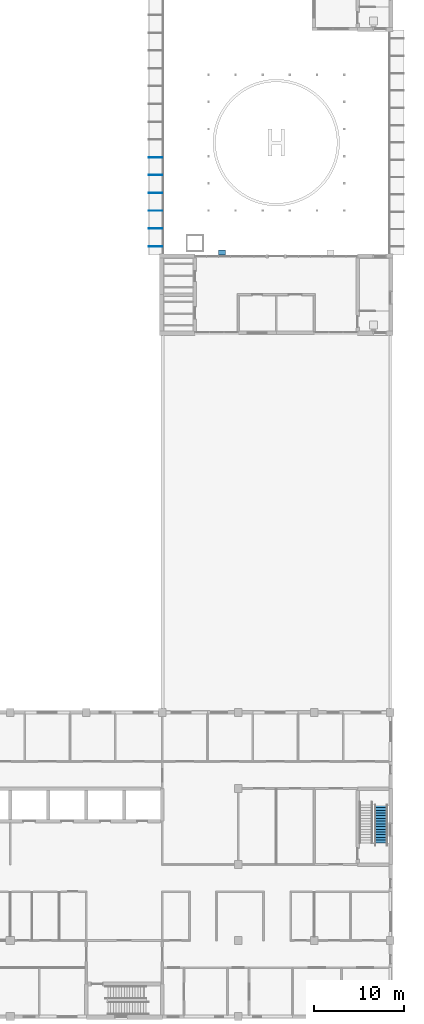
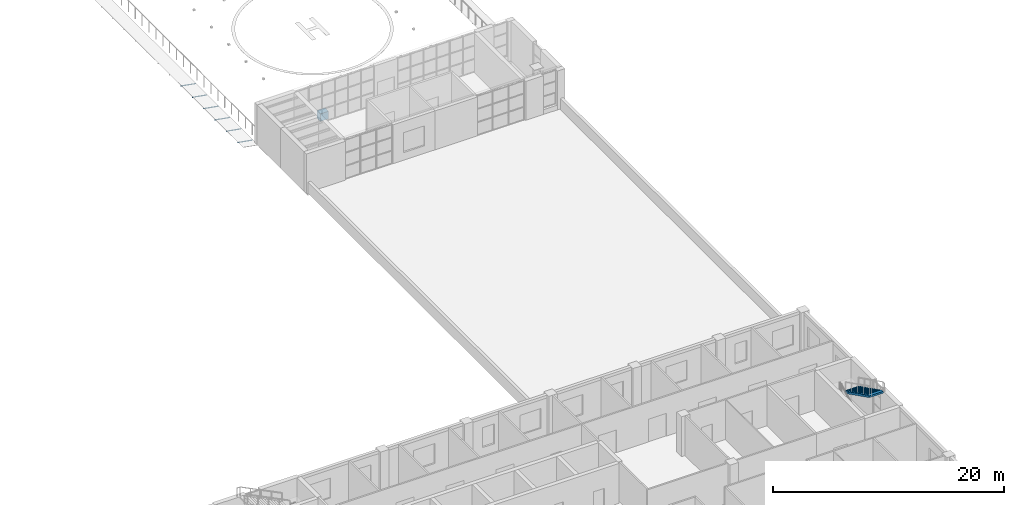
# One storey, part 52 of 66: 7 discrete accessories, 1 stair flight, 1 element without a shape of its own.
"""IFC4 building model written with IfcOpenShell, lengths in metres."""

from ifc_helpers import new_model, si_unit, direction, frame, origin, origin_2d, place, context, subcontext, project, spatial, polyline, rectangle, hollow_rectangle, outline, extrude, material, material_profile, profile_set, type_object, element, aggregate, save


model = new_model("IFC4")

# Units and contexts
model_context = context("Model", 3, precision=1e-05, world=origin(), true_north=direction((0.0, 1.0)))
body_context = subcontext(model_context, "Body", "Model", "MODEL_VIEW")
ifc_project = project(units=[si_unit("LENGTHUNIT", "METRE"), si_unit("AREAUNIT", "SQUARE_METRE"), si_unit("VOLUMEUNIT", "CUBIC_METRE"), si_unit("PLANEANGLEUNIT", "RADIAN"), si_unit("MASSUNIT", "GRAM", prefix="KILO")], contexts=[model_context])

# Site, building, storey
site_placement = place(None, origin())
site = spatial("IfcSite", under=ifc_project, at=site_placement, CompositionType="ELEMENT")
building_placement = place(site_placement, origin())
building = spatial("IfcBuilding", under=site, at=building_placement, Name="Yavir Park General Hospital", CompositionType="ELEMENT")
storey_placement = place(building_placement, frame((0.0, 0.0, 8.39990234375)))
storey = spatial("IfcBuildingStorey", under=building, at=storey_placement, Name="L02", CompositionType="ELEMENT", Elevation=8.39990234375)

# Stair, stair flight
ifc_material_1 = material(Name="Concrete C30/37", Category="concrete")
stair_type = type_object("IfcStairType", Name="Patient escape stair, 30 risers of 150 mm, 1400 mm flights", PredefinedType="HALF_TURN_STAIR", material=ifc_material_1)
stair_placement = place(storey_placement, origin())
stair = element("IfcStair", 1, at=stair_placement, inside=storey, type_object=stair_type, Name="Stair SU6, L02 to I02", PredefinedType="HALF_TURN_STAIR")
ifc_material_2 = material(Name="Concrete C30/37", Category="concrete")
stair_flight_type = type_object("IfcStairFlightType", Name="Patient escape stair flight, 15 risers, 1400 mm wide", PredefinedType="STRAIGHT", material=ifc_material_2)
stair_flight_placement = place(storey_placement, frame((167.0, 23.39990234375, 2.25), z_axis=(0.0, 0.0, 1.0), x_axis=(0.0, -1.0, 0.0)))
stair_flight = element("IfcStairFlight", 2, at=stair_flight_placement, type_object=stair_flight_type, Name="SU6 flight 2", NumberOfRisers=15, NumberOfTreads=14, PredefinedType="STRAIGHT", RiserHeight=0.15, TreadLength=0.3, context=body_context, shape_type="SweptSolid", body=[
    extrude(outline(polyline([(0.0, 0.0), (0.0, 0.14990234375), (0.300048828125, 0.14990234375), (0.300048828125, 0.300048828125), (0.60009765625, 0.300048828125), (0.60009765625, 0.449951171875), (0.89990234375, 0.449951171875), (0.89990234375, 0.60009765625), (1.199951171875, 0.60009765625), (1.199951171875, 0.75), (1.5, 0.75), (1.5, 0.89990234375), (1.800048828125, 0.89990234375), (1.800048828125, 1.050048828125), (2.10009765625, 1.050048828125), (2.10009765625, 1.199951171875), (2.39990234375, 1.199951171875), (2.39990234375, 1.35009765625), (2.699951171875, 1.35009765625), (2.699951171875, 1.5), (3.0, 1.5), (3.0, 1.64990234375), (3.300048828125, 1.64990234375), (3.300048828125, 1.800048828125), (3.60009765625, 1.800048828125), (3.60009765625, 1.949951171875), (3.89990234375, 1.949951171875), (3.89990234375, 2.10009765625), (4.199951171875, 2.10009765625), (4.199951171875, 2.25), (4.199951171875, 1.921142578125), (0.357666015625, 0.0), (0.0, 0.0)])), frame((0.0, 0.699951171875, 0.0), z_axis=(0.0, -1.0, 0.0), x_axis=(1.0, 0.0, 0.0)), (0.0, 0.0, 1.0), 1.39990234375),
])
aggregate(stair, [stair_flight])

# Discrete accessories
ifc_material_3 = material(Name="Stainless steel cabinet", Category="steel")
discrete_accessory_type_1 = type_object("IfcDiscreteAccessoryType", Name="Helipad foam fire point 800 x 600", PredefinedType="NOTDEFINED", material=ifc_material_3)
discrete_accessory_placement = place(storey_placement, frame((149.39990234375, 84.449951171875, 0.0), z_axis=(0.0, 0.0, 1.0), x_axis=(1.0, 0.0, 0.0)))
element("IfcDiscreteAccessory", 3, at=discrete_accessory_placement, inside=storey, type_object=discrete_accessory_type_1, Name="Helipad foam fire point 1", PredefinedType="NOTDEFINED", context=body_context, shape_type="SweptSolid", body=[
    extrude(rectangle(XDim=0.800048828125, YDim=0.60009765625, at=origin_2d()), origin(), (0.0, 0.0, 1.0), 0.800048828125),
])
ifc_material_4 = material(Name="Steel S355", Category="steel")
ifc_material_profile = material_profile(ifc_material_4, hollow_rectangle(XDim=0.050048828125, YDim=0.10009765625, WallThickness=0.00390625, InnerFilletRadius=0.00390625, OuterFilletRadius=0.008056640625, at=origin_2d()), Name="RHS100x50x4")
ifc_profile_set = profile_set([ifc_material_profile], Name="Steel S355")
discrete_accessory_type_2 = type_object("IfcDiscreteAccessoryType", Name="Net bracket RHS 100 x 50", PredefinedType="BRACKET", material=ifc_profile_set)
for number, where, z_axis, x_axis, name in (
    (4, (142.791259765625, 94.96875, -0.3798828125), (-0.984817426759, 0.0, 0.173593306182), (0.0, -1.0, 0.0), "Net bracket 1.2.12"),
    (5, (142.791259765625, 93.001708984375, -0.3798828125), (-0.984817426759, 0.0, 0.173593306182), (0.0, -1.0, 0.0), "Net bracket 1.2.13"),
    (6, (142.791259765625, 91.03466796875, -0.3798828125), (-0.984817426759, 0.0, 0.173593306182), (0.0, -1.0, 0.0), "Net bracket 1.2.14"),
    (7, (142.791259765625, 89.067626953125, -0.3798828125), (-0.984817426759, 0.0, 0.173593306182), (0.0, -1.0, 0.0), "Net bracket 1.2.15"),
    (8, (142.791259765625, 87.1005859375, -0.3798828125), (-0.984817426759, 0.0, 0.173593306182), (0.0, -1.0, 0.0), "Net bracket 1.2.16"),
    (9, (142.791259765625, 85.133544921875, -0.3798828125), (-0.984817426759, 0.0, 0.173593306182), (0.0, -1.0, 0.0), "Net bracket 1.2.17"),
):
    element("IfcDiscreteAccessory", number, at=place(storey_placement, frame(where, z_axis=z_axis, x_axis=x_axis)), inside=storey, type_object=discrete_accessory_type_2, Name=name, PredefinedType="BRACKET", context=body_context, shape_type="SweptSolid", body=[
        extrude(hollow_rectangle(XDim=0.050048828125, YDim=0.10009765625, WallThickness=0.00390625, InnerFilletRadius=0.00390625, OuterFilletRadius=0.008056640625, at=origin_2d()), origin(), (0.0, 0.0, 1.0), 1.523193359375),
    ])

save(model, "model.ifc")
